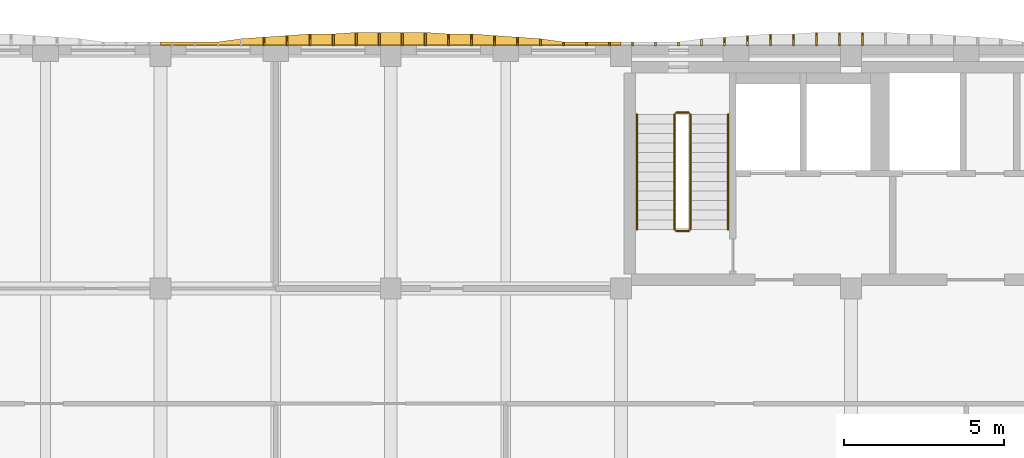
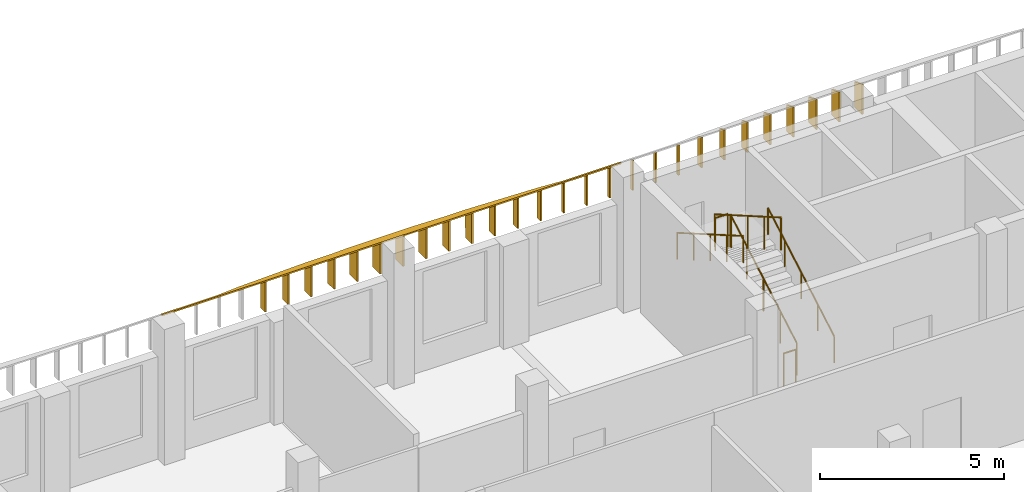
# One storey, part 43 of 54: 28 shading devices, 6 railings.
"""IFC4 building model written with IfcOpenShell, lengths in metres."""

from ifc_helpers import new_model, si_unit, direction, frame, origin, origin_2d, place, context, subcontext, project, spatial, polyline, circle, outline, extrude, material, layer, layer_set, type_object, element, save


model = new_model("IFC4")

# Units and contexts
model_context = context("Model", 3, precision=1e-05, world=origin(), true_north=direction((0.0, 1.0)))
body_context = subcontext(model_context, "Body", "Model", "MODEL_VIEW")
ifc_project = project(units=[si_unit("LENGTHUNIT", "METRE"), si_unit("AREAUNIT", "SQUARE_METRE"), si_unit("VOLUMEUNIT", "CUBIC_METRE"), si_unit("PLANEANGLEUNIT", "RADIAN"), si_unit("MASSUNIT", "GRAM", prefix="KILO")], contexts=[model_context])

# Site, building, storey
site_placement = place(None, origin())
site = spatial("IfcSite", under=ifc_project, at=site_placement, CompositionType="ELEMENT")
building_placement = place(site_placement, origin())
building = spatial("IfcBuilding", under=site, at=building_placement, Name="Ussher Court Research Institute", CompositionType="ELEMENT")
storey_placement = place(building_placement, frame((0.0, 0.0, 14.39990234375)))
storey = spatial("IfcBuildingStorey", under=building, at=storey_placement, Name="L03", CompositionType="ELEMENT", Elevation=14.39990234375)

# Shading devices
ifc_material_1 = material(Name="Bronze anodised aluminium", Category="aluminium")
ifc_layer_1 = layer(ifc_material_1, 0.050048828125)
ifc_layer_set_1 = layer_set([ifc_layer_1], Name="Bronze anodised aluminium")
shading_device_type_1 = type_object("IfcShadingDeviceType", Name="Brim blade 100 mm deep 1000 mm high canted 20 deg dry", PredefinedType="USERDEFINED", material=ifc_layer_set_1)
for number, where, z_axis, x_axis, name in (
    (1, (44.39990234375, 90.800048828125, 3.4501953125), (0.0, 0.0, 1.0), (0.0, 1.0, 0.0), "Brim blade BS17 L03"),
    (2, (45.1201171875, 90.800048828125, 3.4501953125), (0.0, 0.0, 1.0), (0.0, 1.0, 0.0), "Brim blade BS17 L03"),
    (3, (45.840087890625, 90.800048828125, 3.4501953125), (0.0, 0.0, 1.0), (0.0, 1.0, 0.0), "Brim blade BS17 L03"),
    (4, (46.56005859375, 90.800048828125, 3.4501953125), (0.0, 0.0, 1.0), (0.0, 1.0, 0.0), "Brim blade BS17 L03"),
    (5, (47.280029296875, 90.800048828125, 3.4501953125), (0.0, 0.0, 1.0), (0.0, 1.0, 0.0), "Brim blade BS17 L03"),
    (6, (48.0, 90.800048828125, 3.4501953125), (0.0, 0.0, 1.0), (0.0, 1.0, 0.0), "Brim blade BS17 L03"),
):
    element("IfcShadingDevice", number, at=place(storey_placement, frame(where, z_axis=z_axis, x_axis=x_axis)), inside=storey, type_object=shading_device_type_1, Name=name, ObjectType="BLADE", PredefinedType="USERDEFINED", context=body_context, shape_type="SweptSolid", body=[
        extrude(outline(polyline([(0.0, 0.0), (0.099853515625, 0.0), (0.10009765625, 0.963623046875), (0.0, 1.0), (0.0, 0.0)])), frame((0.0, 0.02490234375, 0.0), z_axis=(0.0, -1.0, 0.0), x_axis=(1.0, 0.0, 0.0)), (0.0, 0.0, 1.0), 0.050048828125),
    ])
ifc_material_2 = material(Name="Bronze anodised aluminium", Category="aluminium")
ifc_layer_2 = layer(ifc_material_2, 0.050048828125)
ifc_layer_set_2 = layer_set([ifc_layer_2], Name="Bronze anodised aluminium")
shading_device_type_2 = type_object("IfcShadingDeviceType", Name="Brim blade 200 mm deep 1000 mm high canted 20 deg dry", PredefinedType="USERDEFINED", material=ifc_layer_set_2)
for number, where, z_axis, x_axis, name in (
    (7, (43.679931640625, 90.800048828125, 3.4501953125), (0.0, 0.0, 1.0), (0.0, 1.0, 0.0), "Brim blade BS15 L03"),
    (8, (48.719970703125, 90.800048828125, 3.4501953125), (0.0, 0.0, 1.0), (0.0, 1.0, 0.0), "Brim blade BS15 L03"),
):
    element("IfcShadingDevice", number, at=place(storey_placement, frame(where, z_axis=z_axis, x_axis=x_axis)), inside=storey, type_object=shading_device_type_2, Name=name, ObjectType="BLADE", PredefinedType="USERDEFINED", context=body_context, shape_type="SweptSolid", body=[
        extrude(outline(polyline([(0.0, 0.0), (0.199951171875, 0.0), (0.199951171875, 0.927001953125), (0.0, 1.0), (0.0, 0.0)])), frame((0.0, 0.02490234375, 0.0), z_axis=(0.0, -1.0, 0.0), x_axis=(1.0, 0.0, 0.0)), (0.0, 0.0, 1.0), 0.050048828125),
    ])
ifc_material_3 = material(Name="Bronze anodised aluminium", Category="aluminium")
ifc_layer_3 = layer(ifc_material_3, 0.050048828125)
ifc_layer_set_3 = layer_set([ifc_layer_3], Name="Bronze anodised aluminium")
shading_device_type_3 = type_object("IfcShadingDeviceType", Name="Brim blade 250 mm deep 1000 mm high canted 20 deg dry", PredefinedType="USERDEFINED", material=ifc_layer_set_3)
for number, where, z_axis, x_axis, name in (
    (9, (35.0400390625, 90.800048828125, 3.4501953125), (0.0, 0.0, 1.0), (0.0, 1.0, 0.0), "Brim blade BS14 L03"),
    (10, (42.9599609375, 90.800048828125, 3.4501953125), (0.0, 0.0, 1.0), (0.0, 1.0, 0.0), "Brim blade BS14 L03"),
    (11, (49.43994140625, 90.800048828125, 3.4501953125), (0.0, 0.0, 1.0), (0.0, 1.0, 0.0), "Brim blade BS14 L03"),
):
    element("IfcShadingDevice", number, at=place(storey_placement, frame(where, z_axis=z_axis, x_axis=x_axis)), inside=storey, type_object=shading_device_type_3, Name=name, ObjectType="BLADE", PredefinedType="USERDEFINED", context=body_context, shape_type="SweptSolid", body=[
        extrude(outline(polyline([(0.0, 0.0), (0.25, 0.0), (0.25, 0.908935546875), (0.0, 1.0), (0.0, 0.0)])), frame((0.0, 0.02490234375, 0.0), z_axis=(0.0, -1.0, 0.0), x_axis=(1.0, 0.0, 0.0)), (0.0, 0.0, 1.0), 0.050048828125),
    ])
ifc_material_4 = material(Name="Bronze anodised aluminium", Category="aluminium")
ifc_layer_4 = layer(ifc_material_4, 0.050048828125)
ifc_layer_set_4 = layer_set([ifc_layer_4], Name="Bronze anodised aluminium")
shading_device_type_4 = type_object("IfcShadingDeviceType", Name="Brim blade 300 mm deep 1000 mm high canted 20 deg dry", PredefinedType="USERDEFINED", material=ifc_layer_set_4)
for number, where, z_axis, x_axis, name in (
    (12, (35.760009765625, 90.800048828125, 3.4501953125), (0.0, 0.0, 1.0), (0.0, 1.0, 0.0), "Brim blade BS13 L03"),
    (13, (42.239990234375, 90.800048828125, 3.4501953125), (0.0, 0.0, 1.0), (0.0, 1.0, 0.0), "Brim blade BS13 L03"),
    (14, (50.159912109375, 90.800048828125, 3.4501953125), (0.0, 0.0, 1.0), (0.0, 1.0, 0.0), "Brim blade BS13 L03"),
):
    element("IfcShadingDevice", number, at=place(storey_placement, frame(where, z_axis=z_axis, x_axis=x_axis)), inside=storey, type_object=shading_device_type_4, Name=name, ObjectType="BLADE", PredefinedType="USERDEFINED", context=body_context, shape_type="SweptSolid", body=[
        extrude(outline(polyline([(0.0, 0.0), (0.300048828125, 0.0), (0.300048828125, 0.890625), (0.0, 1.0), (0.0, 0.0)])), frame((0.0, 0.02490234375, 0.0), z_axis=(0.0, -1.0, 0.0), x_axis=(1.0, 0.0, 0.0)), (0.0, 0.0, 1.0), 0.050048828125),
    ])
ifc_material_5 = material(Name="Bronze anodised aluminium", Category="aluminium")
ifc_layer_5 = layer(ifc_material_5, 0.050048828125)
ifc_layer_set_5 = layer_set([ifc_layer_5], Name="Bronze anodised aluminium")
shading_device_type_5 = type_object("IfcShadingDeviceType", Name="Brim blade 350 mm deep 1000 mm high canted 20 deg dry", PredefinedType="USERDEFINED", material=ifc_layer_set_5)
for number, where, z_axis, x_axis, name in (
    (15, (36.47998046875, 90.800048828125, 3.4501953125), (0.0, 0.0, 1.0), (0.0, 1.0, 0.0), "Brim blade BS12 L03"),
    (16, (37.199951171875, 90.800048828125, 3.4501953125), (0.0, 0.0, 1.0), (0.0, 1.0, 0.0), "Brim blade BS12 L03"),
    (17, (40.800048828125, 90.800048828125, 3.4501953125), (0.0, 0.0, 1.0), (0.0, 1.0, 0.0), "Brim blade BS12 L03"),
    (18, (41.52001953125, 90.800048828125, 3.4501953125), (0.0, 0.0, 1.0), (0.0, 1.0, 0.0), "Brim blade BS12 L03"),
    (19, (50.8798828125, 90.800048828125, 3.4501953125), (0.0, 0.0, 1.0), (0.0, 1.0, 0.0), "Brim blade BS12 L03"),
    (20, (51.60009765625, 90.800048828125, 3.4501953125), (0.0, 0.0, 1.0), (0.0, 1.0, 0.0), "Brim blade BS12 L03"),
):
    element("IfcShadingDevice", number, at=place(storey_placement, frame(where, z_axis=z_axis, x_axis=x_axis)), inside=storey, type_object=shading_device_type_5, Name=name, ObjectType="BLADE", PredefinedType="USERDEFINED", context=body_context, shape_type="SweptSolid", body=[
        extrude(outline(polyline([(0.0, 0.0), (0.349853515625, 0.0), (0.35009765625, 0.87255859375), (0.0, 1.0), (0.0, 0.0)])), frame((0.0, 0.02490234375, 0.0), z_axis=(0.0, -1.0, 0.0), x_axis=(1.0, 0.0, 0.0)), (0.0, 0.0, 1.0), 0.050048828125),
    ])
ifc_material_6 = material(Name="Bronze anodised aluminium", Category="aluminium")
ifc_layer_6 = layer(ifc_material_6, 0.050048828125)
ifc_layer_set_6 = layer_set([ifc_layer_6], Name="Bronze anodised aluminium")
shading_device_type_6 = type_object("IfcShadingDeviceType", Name="Brim blade 400 mm deep 1000 mm high canted 20 deg dry", PredefinedType="USERDEFINED", material=ifc_layer_set_6)
for number, where, z_axis, x_axis, name in (
    (21, (37.919921875, 90.800048828125, 3.4501953125), (0.0, 0.0, 1.0), (0.0, 1.0, 0.0), "Brim blade BS11 L03"),
    (22, (38.639892578125, 90.800048828125, 3.4501953125), (0.0, 0.0, 1.0), (0.0, 1.0, 0.0), "Brim blade BS11 L03"),
    (23, (39.360107421875, 90.800048828125, 3.4501953125), (0.0, 0.0, 1.0), (0.0, 1.0, 0.0), "Brim blade BS11 L03"),
    (24, (40.080078125, 90.800048828125, 3.4501953125), (0.0, 0.0, 1.0), (0.0, 1.0, 0.0), "Brim blade BS11 L03"),
    (25, (52.320068359375, 90.800048828125, 3.4501953125), (0.0, 0.0, 1.0), (0.0, 1.0, 0.0), "Brim blade BS11 L03"),
    (26, (53.0400390625, 90.800048828125, 3.4501953125), (0.0, 0.0, 1.0), (0.0, 1.0, 0.0), "Brim blade BS11 L03"),
    (27, (53.760009765625, 90.800048828125, 3.4501953125), (0.0, 0.0, 1.0), (0.0, 1.0, 0.0), "Brim blade BS11 L03"),
):
    element("IfcShadingDevice", number, at=place(storey_placement, frame(where, z_axis=z_axis, x_axis=x_axis)), inside=storey, type_object=shading_device_type_6, Name=name, ObjectType="BLADE", PredefinedType="USERDEFINED", context=body_context, shape_type="SweptSolid", body=[
        extrude(outline(polyline([(0.0, 0.0), (0.39990234375, 0.0), (0.39990234375, 0.854248046875), (0.0, 1.0), (0.0, 0.0)])), frame((0.0, 0.02490234375, 0.0), z_axis=(0.0, -1.0, 0.0), x_axis=(1.0, 0.0, 0.0)), (0.0, 0.0, 1.0), 0.050048828125),
    ])
ifc_material_7 = material(Name="Bronze anodised aluminium", Category="aluminium")
ifc_layer_7 = layer(ifc_material_7, 0.0400390625)
ifc_layer_set_7 = layer_set([ifc_layer_7], Name="Bronze anodised aluminium")
shading_device_type_7 = type_object("IfcShadingDeviceType", Name="Brim visor sheet 40 mm canted 20 deg dry", PredefinedType="USERDEFINED", material=ifc_layer_set_7)
shading_device_placement = place(storey_placement, frame((31.800048828125, 90.813720703125, 4.48779296875), z_axis=(0.0, 0.342255787034, 0.939606820027), x_axis=(1.0, 0.0, 0.0)))
element("IfcShadingDevice", 28, at=shading_device_placement, inside=storey, type_object=shading_device_type_7, Name="Brim visor sheet BR2 L03", ObjectType="BRIM", PredefinedType="USERDEFINED", context=body_context, shape_type="SweptSolid", body=[
    extrude(outline(polyline([(0.0, 0.0), (14.39990234375, 0.0), (14.39990234375, 0.10650266320293991), (14.0400390625, 0.10650266320293991), (13.320068359375, 0.10650266320293991), (12.599853515625, 0.10650266320293991), (11.8798828125, 0.21285948875134061), (11.159912109375, 0.26606904108193236), (10.43994140625, 0.3193621519542805), (9.719970703125, 0.37257170428487224), (9.0, 0.37257170428487224), (8.280029296875, 0.42563541896092477), (7.56005859375, 0.42563541896092477), (6.83984375, 0.42563541896092477), (6.119873046875, 0.42563541896092477), (5.39990234375, 0.37257170428487224), (4.679931640625, 0.37257170428487224), (3.9599609375, 0.3193621519542805), (3.239990234375, 0.26606904108193236), (2.52001953125, 0.21285948875134061), (1.800048828125, 0.10650266320293991), (1.079833984375, 0.10650266320293991), (0.35986328125, 0.10650266320293991), (0.0, 0.10650266320293991), (0.0, 0.0)])), origin(), (0.0, 0.0, -1.0), 0.0400390625),
])

# Railings
ifc_material_8 = material(Name="Painted steel balustrade", Category="steel")
railing_type_1 = type_object("IfcRailingType", Name="Stair guard 1100 steel balustrade", PredefinedType="GUARDRAIL", material=ifc_material_8)
railing_1_placement = place(storey_placement, frame((48.3701171875, 85.050048828125, 0.173095703125)))
element("IfcRailing", 29, at=railing_1_placement, inside=storey, type_object=railing_type_1, Name="L03 D2 stair guard 1", PredefinedType="GUARDRAIL", context=body_context, shape_type="SweptSolid", body=[
    extrude(circle(Radius=0.02392578125, at=origin_2d()), frame((0.0, 0.0, 1.076171875), z_axis=(0.0, 0.866178740119, 0.499734319579), x_axis=(-1.0, 0.0, 0.0)), (0.0, 0.0, 1.0), 4.156005859375),
    extrude(circle(Radius=0.02099609375, at=origin_2d()), origin(), (0.0, 0.0, 1.0), 1.052001953125),
    extrude(circle(Radius=0.02099609375, at=origin_2d()), frame((0.0, 0.89990234375, 0.519287109375)), (0.0, 0.0, 1.0), 1.052001953125),
    extrude(circle(Radius=0.02099609375, at=origin_2d()), frame((0.0, 1.7998046875, 1.03857421875)), (0.0, 0.0, 1.0), 1.052001953125),
    extrude(circle(Radius=0.02099609375, at=origin_2d()), frame((0.0, 2.699951171875, 1.5576171875)), (0.0, 0.0, 1.0), 1.052001953125),
    extrude(circle(Radius=0.02099609375, at=origin_2d()), frame((0.0, 3.599853515625, 2.076904296875)), (0.0, 0.0, 1.0), 1.052001953125),
])
railing_2_placement = place(storey_placement, frame((48.320068359375, 88.699951171875, 2.25)))
element("IfcRailing", 30, at=railing_2_placement, inside=storey, type_object=railing_type_1, Name="L03 D2 stair guard 2", PredefinedType="GUARDRAIL", context=body_context, shape_type="SweptSolid", body=[
    extrude(circle(Radius=0.02392578125, at=origin_2d()), frame((0.0, 0.0, 1.076171875), z_axis=(-1.0, 0.0, 0.0), x_axis=(0.0, -1.0, 0.0)), (0.0, 0.0, 1.0), 0.39013671875),
    extrude(circle(Radius=0.02099609375, at=origin_2d()), origin(), (0.0, 0.0, 1.0), 1.052001953125),
    extrude(circle(Radius=0.02099609375, at=origin_2d()), frame((-0.39013671875, 0.0, 0.0)), (0.0, 0.0, 1.0), 1.052001953125),
])
railing_3_placement = place(storey_placement, frame((47.8798828125, 88.64990234375, 2.423095703125)))
element("IfcRailing", 31, at=railing_3_placement, inside=storey, type_object=railing_type_1, Name="L03 D2 stair guard 3", PredefinedType="GUARDRAIL", context=body_context, shape_type="SweptSolid", body=[
    extrude(circle(Radius=0.02392578125, at=origin_2d()), frame((0.0, 0.0, 1.076171875), z_axis=(0.0, -0.866178740119, 0.499734319579), x_axis=(1.0, 0.0, 0.0)), (0.0, 0.0, 1.0), 4.156005859375),
    extrude(circle(Radius=0.02099609375, at=origin_2d()), origin(), (0.0, 0.0, 1.0), 1.052001953125),
    extrude(circle(Radius=0.02099609375, at=origin_2d()), frame((0.0, -0.89990234375, 0.519287109375)), (0.0, 0.0, 1.0), 1.052001953125),
    extrude(circle(Radius=0.02099609375, at=origin_2d()), frame((0.0, -1.7998046875, 1.03857421875)), (0.0, 0.0, 1.0), 1.052001953125),
    extrude(circle(Radius=0.02099609375, at=origin_2d()), frame((0.0, -2.699951171875, 1.5576171875)), (0.0, 0.0, 1.0), 1.052001953125),
    extrude(circle(Radius=0.02099609375, at=origin_2d()), frame((0.0, -3.599853515625, 2.076904296875)), (0.0, 0.0, 1.0), 1.052001953125),
])
railing_4_placement = place(storey_placement, frame((48.320068359375, 85.0, 0.0)))
element("IfcRailing", 32, at=railing_4_placement, inside=storey, type_object=railing_type_1, Name="L03 D2 stair guard 4", PredefinedType="GUARDRAIL", context=body_context, shape_type="SweptSolid", body=[
    extrude(circle(Radius=0.02392578125, at=origin_2d()), frame((0.0, 0.0, 1.076171875), z_axis=(-1.0, 0.0, 0.0), x_axis=(0.0, -1.0, 0.0)), (0.0, 0.0, 1.0), 0.39013671875),
    extrude(circle(Radius=0.02099609375, at=origin_2d()), origin(), (0.0, 0.0, 1.0), 1.052001953125),
    extrude(circle(Radius=0.02099609375, at=origin_2d()), frame((-0.39013671875, 0.0, 0.0)), (0.0, 0.0, 1.0), 1.052001953125),
])
ifc_material_9 = material(Name="Painted steel handrail", Category="steel")
railing_type_2 = type_object("IfcRailingType", Name="Stair handrail 900 steel", PredefinedType="HANDRAIL", material=ifc_material_9)
railing_5_placement = place(storey_placement, frame((49.550048828125, 85.050048828125, 0.173095703125)))
element("IfcRailing", 33, at=railing_5_placement, inside=storey, type_object=railing_type_2, Name="L03 D2 stair handrail 1", PredefinedType="HANDRAIL", context=body_context, shape_type="SweptSolid", body=[
    extrude(circle(Radius=0.02392578125, at=origin_2d()), frame((0.0, 0.0, 0.8759765625), z_axis=(0.0, 0.866178740119, 0.499734319579), x_axis=(-1.0, 0.0, 0.0)), (0.0, 0.0, 1.0), 4.156005859375),
    extrude(circle(Radius=0.02099609375, at=origin_2d()), origin(), (0.0, 0.0, 1.0), 0.851806640625),
    extrude(circle(Radius=0.02099609375, at=origin_2d()), frame((0.0, 0.89990234375, 0.519287109375)), (0.0, 0.0, 1.0), 0.851806640625),
    extrude(circle(Radius=0.02099609375, at=origin_2d()), frame((0.0, 1.7998046875, 1.03857421875)), (0.0, 0.0, 1.0), 0.851806640625),
    extrude(circle(Radius=0.02099609375, at=origin_2d()), frame((0.0, 2.699951171875, 1.5576171875)), (0.0, 0.0, 1.0), 0.851806640625),
    extrude(circle(Radius=0.02099609375, at=origin_2d()), frame((0.0, 3.599853515625, 2.076904296875)), (0.0, 0.0, 1.0), 0.851806640625),
])
railing_6_placement = place(storey_placement, frame((46.699951171875, 88.64990234375, 2.423095703125)))
element("IfcRailing", 34, at=railing_6_placement, inside=storey, type_object=railing_type_2, Name="L03 D2 stair handrail 2", PredefinedType="HANDRAIL", context=body_context, shape_type="SweptSolid", body=[
    extrude(circle(Radius=0.02392578125, at=origin_2d()), frame((0.0, 0.0, 0.8759765625), z_axis=(0.0, -0.866178740119, 0.499734319579), x_axis=(1.0, 0.0, 0.0)), (0.0, 0.0, 1.0), 4.156005859375),
    extrude(circle(Radius=0.02099609375, at=origin_2d()), origin(), (0.0, 0.0, 1.0), 0.851806640625),
    extrude(circle(Radius=0.02099609375, at=origin_2d()), frame((0.0, -0.89990234375, 0.519287109375)), (0.0, 0.0, 1.0), 0.851806640625),
    extrude(circle(Radius=0.02099609375, at=origin_2d()), frame((0.0, -1.7998046875, 1.03857421875)), (0.0, 0.0, 1.0), 0.851806640625),
    extrude(circle(Radius=0.02099609375, at=origin_2d()), frame((0.0, -2.699951171875, 1.5576171875)), (0.0, 0.0, 1.0), 0.851806640625),
    extrude(circle(Radius=0.02099609375, at=origin_2d()), frame((0.0, -3.599853515625, 2.076904296875)), (0.0, 0.0, 1.0), 0.851806640625),
])

save(model, "model.ifc")
